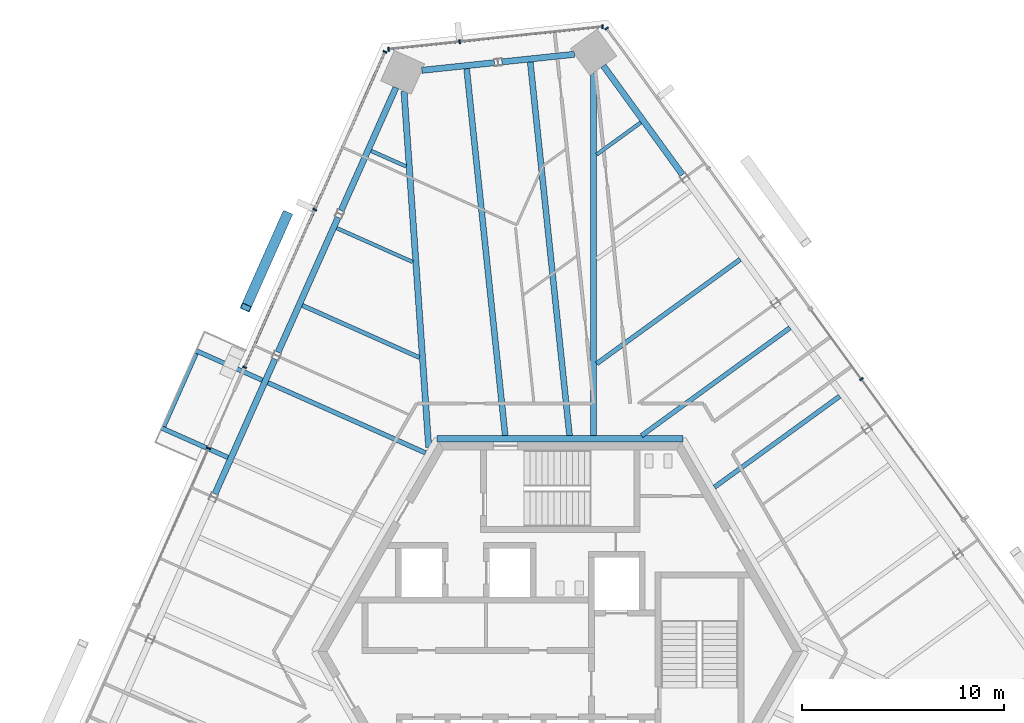
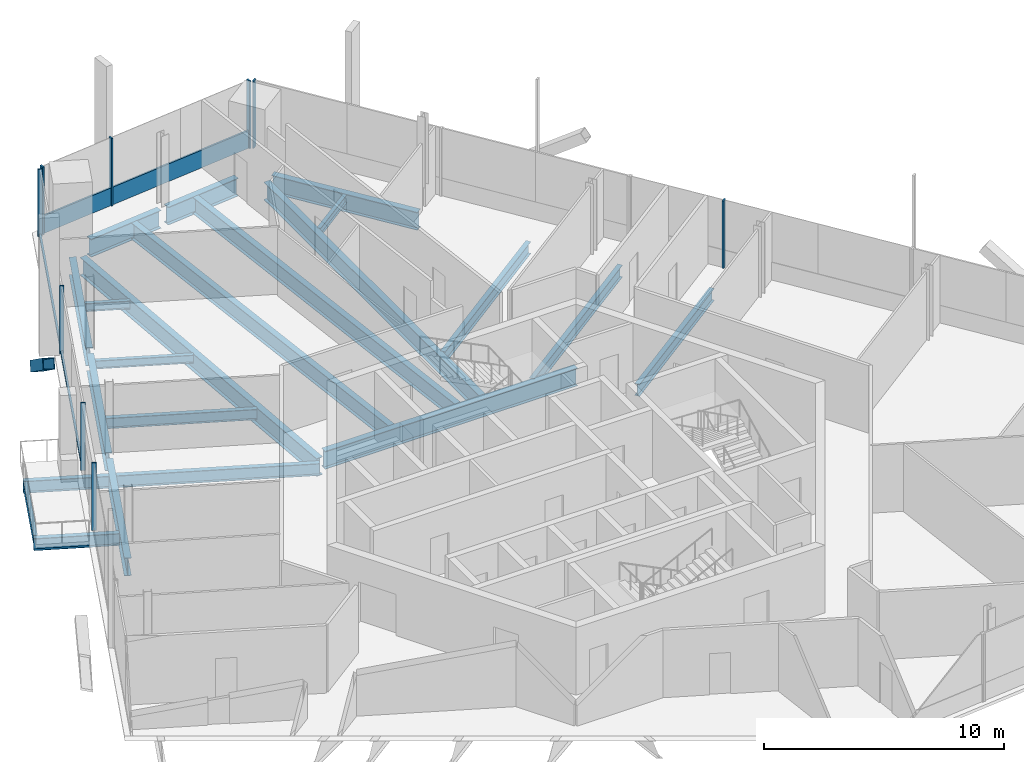
# One storey, part 7 of 20: 22 beams, 14 members, 5 elements without a shape of their own.
"""IFC4 building model written with IfcOpenShell, lengths in metres."""

from ifc_helpers import new_model, si_unit, direction, frame, origin, origin_2d, place, context, subcontext, project, spatial, rectangle, hollow_rectangle, i_section, extrude, source, transform, mapped, material, material_profile, profile_set, type_object, element, aggregate, save


model = new_model("IFC4")

# Units and contexts
model_context = context("Model", 3, precision=1e-05, world=origin(), true_north=direction((0.0, 1.0)))
body_context = subcontext(model_context, "Body", "Model", "MODEL_VIEW")
ifc_project = project(units=[si_unit("LENGTHUNIT", "METRE"), si_unit("AREAUNIT", "SQUARE_METRE"), si_unit("VOLUMEUNIT", "CUBIC_METRE"), si_unit("PLANEANGLEUNIT", "RADIAN"), si_unit("MASSUNIT", "GRAM", prefix="KILO")], contexts=[model_context])

# Site, building, storey
site_placement = place(None, origin())
site = spatial("IfcSite", under=ifc_project, at=site_placement, CompositionType="ELEMENT")
building_placement = place(site_placement, origin())
building = spatial("IfcBuilding", under=site, at=building_placement, Name="Triune Harvest Tower", CompositionType="ELEMENT")
storey_placement = place(building_placement, frame((0.0, 0.0, 226.89990234375)))
storey = spatial("IfcBuildingStorey", under=building, at=storey_placement, Name="L59", CompositionType="ELEMENT", Elevation=226.89990234375)

# Beams
ifc_material_1 = material(Name="Steel ASTM A992 Gr 50", Category="steel")
ifc_material_profile_1 = material_profile(ifc_material_1, i_section(OverallWidth=0.3046875, OverallDepth=0.914306640625, WebThickness=0.0166015625, FlangeThickness=0.02587890625, at=origin_2d()), Name="W36x160")
ifc_profile_set_1 = profile_set([ifc_material_profile_1], Name="Steel ASTM A992 Gr 50")
beam_type_1 = type_object("IfcBeamType", Name="CG-1 Core ring girder W36x160", PredefinedType="BEAM", material=ifc_profile_set_1)
shared_shape_1 = source(origin(), body_context, "Body", "SweptSolid", [
    extrude(i_section(OverallWidth=0.3046875, OverallDepth=0.914306640625, WebThickness=0.0166015625, FlangeThickness=0.02587890625, at=origin_2d()), origin(), (0.0, 0.0, 1.0), 12.17578125),
])
beam_1_placement = place(storey_placement, frame((6.087890625, 10.544677734375, -0.6171875), z_axis=(-1.0, 0.0, 0.0), x_axis=(0.0, -1.0, 0.0)))
element("IfcBeam", 1, at=beam_1_placement, inside=storey, type_object=beam_type_1, Name="beam/L59/CG2", PredefinedType="BEAM", context=body_context, shape_type="MappedRepresentation", body=[
    mapped(shared_shape_1, transform((0.0, 0.0, 0.0), scale=1.0)),
])
ifc_material_2 = material(Name="Steel ASTM A992 Gr 50", Category="steel")
ifc_material_profile_2 = material_profile(ifc_material_2, i_section(OverallWidth=0.3046875, OverallDepth=0.914306640625, WebThickness=0.0166015625, FlangeThickness=0.02587890625, at=origin_2d()), Name="W36x160")
ifc_profile_set_2 = profile_set([ifc_material_profile_2], Name="Steel ASTM A992 Gr 50")
beam_type_2 = type_object("IfcBeamType", Name="SB-1 Spandrel beam W36x160", PredefinedType="SPANDREL", material=ifc_profile_set_2)
shared_shape_2 = source(origin(), body_context, "Body", "SweptSolid", [
    extrude(i_section(OverallWidth=0.3046875, OverallDepth=0.914306640625, WebThickness=0.0166015625, FlangeThickness=0.02587890625, at=origin_2d()), origin(), (0.0, 0.0, 1.0), 6.67041015625),
])
beam_2_placement = place(storey_placement, frame((6.06396484375, 23.617919921875, -0.6171875), z_axis=(-0.587797324645, 0.80900822316, 0.0), x_axis=(-0.80900822316, -0.587797324645, 0.0)))
element("IfcBeam", 2, at=beam_2_placement, inside=storey, type_object=beam_type_2, Name="beam/L59/SB6", PredefinedType="SPANDREL", context=body_context, shape_type="MappedRepresentation", body=[
    mapped(shared_shape_2, transform((0.0, 0.0, 0.0), scale=1.0)),
])
shared_shape_3 = source(origin(), body_context, "Body", "SweptSolid", [
    extrude(i_section(OverallWidth=0.3046875, OverallDepth=0.914306640625, WebThickness=0.0166015625, FlangeThickness=0.02587890625, at=origin_2d()), origin(), (0.0, 0.0, 1.0), 7.31103515625),
])
beam_3_placement = place(storey_placement, frame((-14.114990234375, 14.489013671875, -0.6171875), z_axis=(-0.406761135511, -0.913534552514, 0.0), x_axis=(0.913534552514, -0.406761135511, 0.0)))
element("IfcBeam", 3, at=beam_3_placement, inside=storey, type_object=beam_type_2, Name="beam/L59/SB11", PredefinedType="SPANDREL", context=body_context, shape_type="MappedRepresentation", body=[
    mapped(shared_shape_3, transform((0.0, 0.0, 0.0), scale=1.0)),
])
shared_shape_4 = source(origin(), body_context, "Body", "SweptSolid", [
    extrude(i_section(OverallWidth=0.3046875, OverallDepth=0.914306640625, WebThickness=0.0166015625, FlangeThickness=0.02587890625, at=origin_2d()), origin(), (0.0, 0.0, 1.0), 3.614990234375),
])
for number, where, z_axis, x_axis, name in (
    (4, (0.710693359375, 29.58203125, -0.6171875), (-0.994520245169, -0.104544162673, 0.0), (0.104544162673, -0.994520245169, 0.0), "beam/L59/SB7"),
    (5, (-3.25048828125, 29.165771484375, -0.6171875), (-0.994520245169, -0.104544162673, 0.0), (0.104544162673, -0.994520245169, 0.0), "beam/L59/SB8"),
):
    element("IfcBeam", number, at=place(storey_placement, frame(where, z_axis=z_axis, x_axis=x_axis)), inside=storey, type_object=beam_type_2, Name=name, PredefinedType="SPANDREL", context=body_context, shape_type="MappedRepresentation", body=[
        mapped(shared_shape_4, transform((0.0, 0.0, 0.0), scale=1.0)),
    ])
shared_shape_5 = source(origin(), body_context, "Body", "SweptSolid", [
    extrude(i_section(OverallWidth=0.3046875, OverallDepth=0.914306640625, WebThickness=0.0166015625, FlangeThickness=0.02587890625, at=origin_2d()), origin(), (0.0, 0.0, 1.0), 6.670166015625),
])
beam_4_placement = place(storey_placement, frame((-8.128662109375, 27.9345703125, -0.6171875), z_axis=(-0.406753053854, -0.913538150917, 0.0), x_axis=(0.913538150917, -0.406753053854, 0.0)))
element("IfcBeam", 6, at=beam_4_placement, inside=storey, type_object=beam_type_2, Name="beam/L59/SB9", PredefinedType="SPANDREL", context=body_context, shape_type="MappedRepresentation", body=[
    mapped(shared_shape_5, transform((0.0, 0.0, 0.0), scale=1.0)),
])
shared_shape_6 = source(origin(), body_context, "Body", "SweptSolid", [
    extrude(i_section(OverallWidth=0.3046875, OverallDepth=0.914306640625, WebThickness=0.0166015625, FlangeThickness=0.02587890625, at=origin_2d()), origin(), (0.0, 0.0, 1.0), 7.311279296875),
])
beam_5_placement = place(storey_placement, frame((-10.991455078125, 21.504638671875, -0.6171875), z_axis=(-0.406720859208, -0.91355248491, 0.0), x_axis=(0.91355248491, -0.406720859208, 0.0)))
element("IfcBeam", 7, at=beam_5_placement, inside=storey, type_object=beam_type_2, Name="beam/L59/SB10", PredefinedType="SPANDREL", context=body_context, shape_type="MappedRepresentation", body=[
    mapped(shared_shape_6, transform((0.0, 0.0, 0.0), scale=1.0)),
])
ifc_material_3 = material(Name="Steel ASTM A992 Gr 50", Category="steel")
ifc_material_profile_3 = material_profile(ifc_material_3, i_section(OverallWidth=0.3046875, OverallDepth=0.914306640625, WebThickness=0.0166015625, FlangeThickness=0.02587890625, at=origin_2d()), Name="W36x160")
ifc_profile_set_3 = profile_set([ifc_material_profile_3], Name="Steel ASTM A992 Gr 50")
beam_type_3 = type_object("IfcBeamType", Name="HG-3 Hip girder W36x160", PredefinedType="BEAM", material=ifc_profile_set_3)
shared_shape_7 = source(origin(), body_context, "Body", "SweptSolid", [
    extrude(i_section(OverallWidth=0.3046875, OverallDepth=0.914306640625, WebThickness=0.0166015625, FlangeThickness=0.02587890625, at=origin_2d()), origin(), (0.0, 0.0, 1.0), 17.96484375),
])
beam_6_placement = place(storey_placement, frame((1.658203125, 28.661865234375, -0.6171875), z_axis=(0.0, -1.0, 0.0), x_axis=(1.0, 0.0, 0.0)))
element("IfcBeam", 8, at=beam_6_placement, inside=storey, type_object=beam_type_3, Name="beam/L59/HG3", PredefinedType="BEAM", context=body_context, shape_type="MappedRepresentation", body=[
    mapped(shared_shape_7, transform((0.0, 0.0, 0.0), scale=1.0)),
])
shared_shape_8 = source(origin(), body_context, "Body", "SweptSolid", [
    extrude(i_section(OverallWidth=0.3046875, OverallDepth=0.914306640625, WebThickness=0.0166015625, FlangeThickness=0.02587890625, at=origin_2d()), origin(), (0.0, 0.0, 1.0), 17.6748046875),
])
beam_7_placement = place(storey_placement, frame((-7.728515625, 27.756591796875, -0.6171875), z_axis=(0.069119702871, -0.997608373399, 0.0), x_axis=(0.997608373399, 0.069119702871, 0.0)))
element("IfcBeam", 9, at=beam_7_placement, inside=storey, type_object=beam_type_3, Name="beam/L59/HG4", PredefinedType="BEAM", context=body_context, shape_type="MappedRepresentation", body=[
    mapped(shared_shape_8, transform((0.0, 0.0, 0.0), scale=1.0)),
])
ifc_material_4 = material(Name="Steel ASTM A992 Gr 50", Category="steel")
ifc_material_profile_4 = material_profile(ifc_material_4, i_section(OverallWidth=0.2099609375, OverallDepth=0.535888671875, WebThickness=0.010986328125, FlangeThickness=0.017333984375, at=origin_2d()), Name="W21x68")
ifc_profile_set_4 = profile_set([ifc_material_profile_4], Name="Steel ASTM A992 Gr 50")
beam_type_4 = type_object("IfcBeamType", Name="JT-2 Floor joist W21x68", PredefinedType="JOIST", material=ifc_profile_set_4)
shared_shape_9 = source(origin(), body_context, "Body", "SweptSolid", [
    extrude(i_section(OverallWidth=0.2099609375, OverallDepth=0.535888671875, WebThickness=0.010986328125, FlangeThickness=0.017333984375, at=origin_2d()), origin(), (0.0, 0.0, 1.0), 6.346435546875),
])
beam_8_placement = place(storey_placement, frame((-12.76513671875, 17.146484375, -0.427978515625), z_axis=(0.913549614508, -0.406727306476, 0.0), x_axis=(0.406727306476, 0.913549614508, 0.0)))
element("IfcBeam", 10, at=beam_8_placement, inside=storey, type_object=beam_type_4, Name="beam/L59/JT15", PredefinedType="JOIST", context=body_context, shape_type="MappedRepresentation", body=[
    mapped(shared_shape_9, transform((0.0, 0.0, 0.0), scale=1.0)),
])
ifc_material_5 = material(Name="Steel ASTM A992 Gr 50", Category="steel")
ifc_material_profile_5 = material_profile(ifc_material_5, i_section(OverallWidth=0.22900390625, OverallDepth=0.612060546875, WebThickness=0.011962890625, FlangeThickness=0.01953125, at=origin_2d()), Name="W24x84")
ifc_profile_set_5 = profile_set([ifc_material_profile_5], Name="Steel ASTM A992 Gr 50")
beam_type_5 = type_object("IfcBeamType", Name="JT-3 Floor joist W24x84", PredefinedType="JOIST", material=ifc_profile_set_5)
shared_shape_10 = source(origin(), body_context, "Body", "SweptSolid", [
    extrude(i_section(OverallWidth=0.22900390625, OverallDepth=0.612060546875, WebThickness=0.011962890625, FlangeThickness=0.01953125, at=origin_2d()), origin(), (0.0, 0.0, 1.0), 7.659423828125),
])
beam_9_placement = place(storey_placement, frame((13.845458984375, 12.648193359375, -0.466064453125), z_axis=(-0.809007534686, -0.587798272217, 0.0), x_axis=(0.587798272217, -0.809007534686, 0.0)))
element("IfcBeam", 11, at=beam_9_placement, inside=storey, type_object=beam_type_5, Name="beam/L59/JT6", PredefinedType="JOIST", context=body_context, shape_type="MappedRepresentation", body=[
    mapped(shared_shape_10, transform((0.0, 0.0, 0.0), scale=1.0)),
])
shared_shape_11 = source(origin(), body_context, "Body", "SweptSolid", [
    extrude(i_section(OverallWidth=0.22900390625, OverallDepth=0.612060546875, WebThickness=0.011962890625, FlangeThickness=0.01953125, at=origin_2d()), origin(), (0.0, 0.0, 1.0), 9.084716796875),
])
beam_10_placement = place(storey_placement, frame((11.38330078125, 16.036865234375, -0.466064453125), z_axis=(-0.809014901919, -0.5877881323, 0.0), x_axis=(0.5877881323, -0.809014901919, 0.0)))
element("IfcBeam", 12, at=beam_10_placement, inside=storey, type_object=beam_type_5, Name="beam/L59/JT7", PredefinedType="JOIST", context=body_context, shape_type="MappedRepresentation", body=[
    mapped(shared_shape_11, transform((0.0, 0.0, 0.0), scale=1.0)),
])
shared_shape_12 = source(origin(), body_context, "Body", "SweptSolid", [
    extrude(i_section(OverallWidth=0.22900390625, OverallDepth=0.612060546875, WebThickness=0.011962890625, FlangeThickness=0.01953125, at=origin_2d()), origin(), (0.0, 0.0, 1.0), 8.789306640625),
])
beam_11_placement = place(storey_placement, frame((8.921142578125, 19.42578125, -0.466064453125), z_axis=(-0.809011065255, -0.587793412939, 0.0), x_axis=(0.587793412939, -0.809011065255, 0.0)))
element("IfcBeam", 13, at=beam_11_placement, inside=storey, type_object=beam_type_5, Name="beam/L59/JT8", PredefinedType="JOIST", context=body_context, shape_type="MappedRepresentation", body=[
    mapped(shared_shape_12, transform((0.0, 0.0, 0.0), scale=1.0)),
])
ifc_material_6 = material(Name="Steel ASTM A992 Gr 50", Category="steel")
ifc_material_profile_6 = material_profile(ifc_material_6, i_section(OverallWidth=0.180908203125, OverallDepth=0.41650390625, WebThickness=0.010986328125, FlangeThickness=0.01806640625, at=origin_2d()), Name="W16x57")
ifc_profile_set_6 = profile_set([ifc_material_profile_6], Name="Steel ASTM A992 Gr 50")
beam_type_6 = type_object("IfcBeamType", Name="JT-1 Floor joist W16x57", PredefinedType="JOIST", material=ifc_profile_set_6)
shared_shape_13 = source(origin(), body_context, "Body", "SweptSolid", [
    extrude(i_section(OverallWidth=0.180908203125, OverallDepth=0.41650390625, WebThickness=0.010986328125, FlangeThickness=0.01806640625, at=origin_2d()), origin(), (0.0, 0.0, 1.0), 2.70263671875),
])
beam_12_placement = place(storey_placement, frame((3.9970703125, 26.203369140625, -0.3681640625), z_axis=(-0.809013338029, -0.587790284788, 0.0), x_axis=(0.587790284788, -0.809013338029, 0.0)))
element("IfcBeam", 14, at=beam_12_placement, inside=storey, type_object=beam_type_6, Name="beam/L59/JT10", PredefinedType="JOIST", context=body_context, shape_type="MappedRepresentation", body=[
    mapped(shared_shape_13, transform((0.0, 0.0, 0.0), scale=1.0)),
])
ifc_material_7 = material(Name="Steel ASTM A992 Gr 50", Category="steel")
ifc_material_profile_7 = material_profile(ifc_material_7, i_section(OverallWidth=0.2919921875, OverallDepth=0.8408203125, WebThickness=0.0146484375, FlangeThickness=0.021728515625, at=origin_2d()), Name="W33x130")
ifc_profile_set_7 = profile_set([ifc_material_profile_7], Name="Steel ASTM A992 Gr 50")
beam_type_7 = type_object("IfcBeamType", Name="JT-6 Floor joist W33x130", PredefinedType="JOIST", material=ifc_profile_set_7)
shared_shape_14 = source(origin(), body_context, "Body", "SweptSolid", [
    extrude(i_section(OverallWidth=0.2919921875, OverallDepth=0.8408203125, WebThickness=0.0146484375, FlangeThickness=0.021728515625, at=origin_2d()), origin(), (0.0, 0.0, 1.0), 18.60400390625),
])
beam_13_placement = place(storey_placement, frame((-1.476318359375, 29.198974609375, -0.580322265625), z_axis=(0.104538595675, -0.994520830357, 0.0), x_axis=(0.994520830357, 0.104538595675, 0.0)))
element("IfcBeam", 15, at=beam_13_placement, inside=storey, type_object=beam_type_7, Name="beam/L59/JT11", PredefinedType="JOIST", context=body_context, shape_type="MappedRepresentation", body=[
    mapped(shared_shape_14, transform((0.0, 0.0, 0.0), scale=1.0)),
])
shared_shape_15 = source(origin(), body_context, "Body", "SweptSolid", [
    extrude(i_section(OverallWidth=0.2919921875, OverallDepth=0.8408203125, WebThickness=0.0146484375, FlangeThickness=0.021728515625, at=origin_2d()), origin(), (0.0, 0.0, 1.0), 18.27099609375),
])
beam_14_placement = place(storey_placement, frame((-4.626708984375, 28.867919921875, -0.580322265625), z_axis=(0.104532454263, -0.99452147589, 0.0), x_axis=(0.99452147589, 0.104532454263, 0.0)))
element("IfcBeam", 16, at=beam_14_placement, inside=storey, type_object=beam_type_7, Name="beam/L59/JT12", PredefinedType="JOIST", context=body_context, shape_type="MappedRepresentation", body=[
    mapped(shared_shape_15, transform((0.0, 0.0, 0.0), scale=1.0)),
])
shared_shape_16 = source(origin(), body_context, "Body", "SweptSolid", [
    extrude(i_section(OverallWidth=0.180908203125, OverallDepth=0.41650390625, WebThickness=0.010986328125, FlangeThickness=0.01806640625, at=origin_2d()), origin(), (0.0, 0.0, 1.0), 1.899169921875),
])
beam_15_placement = place(storey_placement, frame((-9.357666015625, 24.7998046875, -0.3681640625), z_axis=(0.913535666592, -0.406758633422, 0.0), x_axis=(0.406758633422, 0.913535666592, 0.0)))
element("IfcBeam", 17, at=beam_15_placement, inside=storey, type_object=beam_type_6, Name="beam/L59/JT13", PredefinedType="JOIST", context=body_context, shape_type="MappedRepresentation", body=[
    mapped(shared_shape_16, transform((0.0, 0.0, 0.0), scale=1.0)),
])
shared_shape_17 = source(origin(), body_context, "Body", "SweptSolid", [
    extrude(i_section(OverallWidth=0.180908203125, OverallDepth=0.41650390625, WebThickness=0.010986328125, FlangeThickness=0.01806640625, at=origin_2d()), origin(), (0.0, 0.0, 1.0), 4.12255859375),
])
beam_16_placement = place(storey_placement, frame((-11.061279296875, 20.972900390625, -0.3681640625), z_axis=(0.913547607509, -0.406731814363, 0.0), x_axis=(0.406731814363, 0.913547607509, 0.0)))
element("IfcBeam", 18, at=beam_16_placement, inside=storey, type_object=beam_type_6, Name="beam/L59/JT14", PredefinedType="JOIST", context=body_context, shape_type="MappedRepresentation", body=[
    mapped(shared_shape_17, transform((0.0, 0.0, 0.0), scale=1.0)),
])
shared_shape_18 = source(origin(), body_context, "Body", "SweptSolid", [
    extrude(i_section(OverallWidth=0.22900390625, OverallDepth=0.612060546875, WebThickness=0.011962890625, FlangeThickness=0.01953125, at=origin_2d()), origin(), (0.0, 0.0, 1.0), 8.539794921875),
])
beam_17_placement = place(storey_placement, frame((-14.46875, 13.319580078125, -0.466064453125), z_axis=(0.913548460016, -0.406729899567, 0.0), x_axis=(0.406729899567, 0.913548460016, 0.0)))
element("IfcBeam", 19, at=beam_17_placement, inside=storey, type_object=beam_type_5, Name="beam/L59/JT16", PredefinedType="JOIST", context=body_context, shape_type="MappedRepresentation", body=[
    mapped(shared_shape_18, transform((0.0, 0.0, 0.0), scale=1.0)),
])

# Member
ifc_material_8 = material(Name="Steel ASTM A572 Gr 50", Category="steel")
ifc_material_profile_8 = material_profile(ifc_material_8, hollow_rectangle(XDim=0.5, YDim=0.5, WallThickness=0.030029296875, at=origin_2d()), Name="Box 500x500x30")
ifc_profile_set_8 = profile_set([ifc_material_profile_8], Name="Steel ASTM A572 Gr 50")
member_type_1 = type_object("IfcMemberType", Name="BR-3 Brace Box 500x500x30", PredefinedType="BRACE", material=ifc_profile_set_8)
shared_shape_19 = source(origin(), body_context, "Body", "SweptSolid", [
    extrude(hollow_rectangle(XDim=0.5, YDim=0.5, WallThickness=0.030029296875, at=origin_2d()), origin(), (0.0, 0.0, 1.0), 6.1708984375),
])
member_1_placement = place(storey_placement, frame((-13.527099609375, 21.625, 0.0), z_axis=(-0.330352036276, -0.741966717165, 0.583397739752), x_axis=(0.913542177249, -0.406744010879, 0.0)))
element("IfcMember", 20, at=member_1_placement, inside=storey, type_object=member_type_1, Name="brace/B6-F3/d1/3", PredefinedType="BRACE", context=body_context, shape_type="MappedRepresentation", body=[
    mapped(shared_shape_19, transform((0.0, 0.0, 0.0), scale=1.0)),
])

# Beam
ifc_material_9 = material(Name="Steel ASTM A992 Gr 50", Category="steel")
ifc_material_profile_9 = material_profile(ifc_material_9, i_section(OverallWidth=0.22900390625, OverallDepth=0.612060546875, WebThickness=0.011962890625, FlangeThickness=0.01953125, at=origin_2d()), Name="W24x84")
ifc_profile_set_9 = profile_set([ifc_material_profile_9], Name="Steel ASTM A992 Gr 50")
beam_type_8 = type_object("IfcBeamType", Name="BJ-3 Balcony cantilever joist W24x84", PredefinedType="JOIST", material=ifc_profile_set_9)
shared_shape_20 = source(origin(), body_context, "Body", "SweptSolid", [
    extrude(i_section(OverallWidth=0.22900390625, OverallDepth=0.612060546875, WebThickness=0.011962890625, FlangeThickness=0.01953125, at=origin_2d()), origin(), (0.0, 0.0, 1.0), 3.59765625),
])
beam_18_placement = place(storey_placement, frame((-14.747314453125, 13.443603515625, -0.466064453125), z_axis=(-0.91353710021, 0.406755413658, 0.0), x_axis=(-0.406755413658, -0.91353710021, 0.0)))
element("IfcBeam", 21, at=beam_18_placement, inside=storey, type_object=beam_type_8, Name="Balcony cantilever joist B6-F3 L59.5a", PredefinedType="JOIST", context=body_context, shape_type="MappedRepresentation", body=[
    mapped(shared_shape_20, transform((0.0, 0.0, 0.0), scale=1.0)),
])

# Curtain wall, member
ifc_material_10 = material(Name="Aluminium bronze anodised", Category="aluminium")
curtain_wall_type_1 = type_object("IfcCurtainWallType", Name="CW-1 Tower stick curtain wall", PredefinedType="NOTDEFINED", material=ifc_material_10)
curtain_wall_1_placement = place(storey_placement, origin())
curtain_wall_1 = element("IfcCurtainWall", 22, at=curtain_wall_1_placement, inside=storey, type_object=curtain_wall_type_1, Name="CW-1 B6-F1 L59 run 1001")
ifc_material_11 = material(Name="Aluminium bronze anodised", Category="aluminium")
ifc_material_profile_10 = material_profile(ifc_material_11, rectangle(XDim=0.199951171875, YDim=0.074951171875, at=origin_2d()), Name="MU-1 mullion 75 x 200")
ifc_profile_set_10 = profile_set([ifc_material_profile_10], Name="Aluminium bronze anodised")
member_type_2 = type_object("IfcMemberType", Name="MU-1 mullion 75 x 200", PredefinedType="MULLION", material=ifc_profile_set_10)
shared_shape_21 = source(origin(), body_context, "Body", "SweptSolid", [
    extrude(rectangle(XDim=0.199951171875, YDim=0.074951171875, at=origin_2d()), origin(), (0.0, 0.0, 1.0), 3.440185546875),
])
member_2_placement = place(storey_placement, frame((14.91943359375, 13.4970703125, 0.0), z_axis=(0.0, 0.0, 1.0), x_axis=(-0.809017576253, -0.587784451405, 0.0)))
member_2 = element("IfcMember", 23, at=member_2_placement, type_object=member_type_2, Name="CW-1 mullion B6-F1 1001.3", PredefinedType="MULLION", context=body_context, shape_type="MappedRepresentation", body=[
    mapped(shared_shape_21, transform((0.0, 0.0, 0.0), scale=1.0)),
])
aggregate(curtain_wall_1, [member_2])

ifc_material_12 = material(Name="Aluminium bronze anodised", Category="aluminium")
curtain_wall_type_2 = type_object("IfcCurtainWallType", Name="CW-7 Tower stick curtain wall with insulated spandrel infill", PredefinedType="NOTDEFINED", material=ifc_material_12)
curtain_wall_2_placement = place(storey_placement, origin())
curtain_wall_2 = element("IfcCurtainWall", 24, at=curtain_wall_2_placement, inside=storey, type_object=curtain_wall_type_2, Name="CW-7 B6-F1 L59 run 2001")
member_3_placement = place(storey_placement, frame((2.303955078125, 30.86083984375, 0.0), z_axis=(0.0, 0.0, 1.0), x_axis=(-0.809016356822, -0.587786129808, 0.0)))
member_3 = element("IfcMember", 25, at=member_3_placement, type_object=member_type_2, Name="CW-7 mullion B6-F1 2001.5", PredefinedType="MULLION", context=body_context, shape_type="MappedRepresentation", body=[
    mapped(shared_shape_21, transform((0.0, 0.0, 0.0), scale=1.0)),
])
aggregate(curtain_wall_2, [member_3])

# Curtain wall, members
curtain_wall_3_placement = place(storey_placement, origin())
curtain_wall_3 = element("IfcCurtainWall", 26, at=curtain_wall_3_placement, inside=storey, type_object=curtain_wall_type_1, Name="CW-1 B6-F2 L59 run 1")
member_4_placement = place(storey_placement, frame((2.102294921875, 30.95068359375, 0.0), z_axis=(0.0, 0.0, 1.0), x_axis=(0.104529672907, -0.994521768229, 0.0)))
member_4 = element("IfcMember", 27, at=member_4_placement, type_object=member_type_2, Name="CW-1 mullion B6-F2 1.1", PredefinedType="MULLION", context=body_context, shape_type="MappedRepresentation", body=[
    mapped(shared_shape_21, transform((0.0, 0.0, 0.0), scale=1.0)),
])
member_5_placement = place(storey_placement, frame((-4.972412109375, 30.20703125, 0.0), z_axis=(0.0, 0.0, 1.0), x_axis=(0.104529672907, -0.994521768229, 0.0)))
member_5 = element("IfcMember", 28, at=member_5_placement, type_object=member_type_2, Name="CW-1 mullion B6-F2 1.3", PredefinedType="MULLION", context=body_context, shape_type="MappedRepresentation", body=[
    mapped(shared_shape_21, transform((0.0, 0.0, 0.0), scale=1.0)),
])
member_6_placement = place(storey_placement, frame((-8.4912109375, 29.837158203125, 0.0), z_axis=(0.0, 0.0, 1.0), x_axis=(0.104529672907, -0.994521768229, 0.0)))
member_6 = element("IfcMember", 29, at=member_6_placement, type_object=member_type_2, Name="CW-1 mullion B6-F2 1.4", PredefinedType="MULLION", context=body_context, shape_type="MappedRepresentation", body=[
    mapped(shared_shape_21, transform((0.0, 0.0, 0.0), scale=1.0)),
])

ifc_material_13 = material(Name="Aluminium bronze anodised", Category="aluminium")
curtain_wall_type_3 = type_object("IfcCurtainWallType", Name="CW-10 Balcony window wall with insulated spandrel infill", PredefinedType="NOTDEFINED", material=ifc_material_13)
curtain_wall_4_placement = place(storey_placement, origin())
curtain_wall_4 = element("IfcCurtainWall", 30, at=curtain_wall_4_placement, inside=storey, type_object=curtain_wall_type_3, Name="CW-10 B6-F3 L59 run 1")
ifc_material_14 = material(Name="Aluminium bronze anodised", Category="aluminium")
ifc_material_profile_11 = material_profile(ifc_material_14, rectangle(XDim=0.199951171875, YDim=0.074951171875, at=origin_2d()), Name="MU-6 mullion 75 x 200")
ifc_profile_set_11 = profile_set([ifc_material_profile_11], Name="Aluminium bronze anodised")
member_type_3 = type_object("IfcMemberType", Name="MU-6 mullion 75 x 200", PredefinedType="MULLION", material=ifc_profile_set_11)
shared_shape_22 = source(origin(), body_context, "Body", "SweptSolid", [
    extrude(rectangle(XDim=0.199951171875, YDim=0.074951171875, at=origin_2d()), origin(), (0.0, 0.0, 1.0), 3.440185546875),
])
member_7_placement = place(storey_placement, frame((-8.669921875, 29.707275390625, 0.0), z_axis=(0.0, 0.0, 1.0), x_axis=(0.91354489257, -0.406737912248, 0.0)))
member_7 = element("IfcMember", 31, at=member_7_placement, type_object=member_type_3, Name="CW-10 mullion B6-F3 1.1", PredefinedType="MULLION", context=body_context, shape_type="MappedRepresentation", body=[
    mapped(shared_shape_22, transform((0.0, 0.0, 0.0), scale=1.0)),
])
member_8_placement = place(storey_placement, frame((-12.147705078125, 21.896240234375, 0.0), z_axis=(0.0, 0.0, 1.0), x_axis=(0.91354489257, -0.406737912248, 0.0)))
member_8 = element("IfcMember", 32, at=member_8_placement, type_object=member_type_3, Name="CW-10 mullion B6-F3 1.3", PredefinedType="MULLION", context=body_context, shape_type="MappedRepresentation", body=[
    mapped(shared_shape_22, transform((0.0, 0.0, 0.0), scale=1.0)),
])
member_9_placement = place(storey_placement, frame((-15.62548828125, 14.085205078125, 0.0), z_axis=(0.0, 0.0, 1.0), x_axis=(0.91354489257, -0.406737912248, 0.0)))
member_9 = element("IfcMember", 33, at=member_9_placement, type_object=member_type_3, Name="CW-10 mullion B6-F3 1.5", PredefinedType="MULLION", context=body_context, shape_type="MappedRepresentation", body=[
    mapped(shared_shape_22, transform((0.0, 0.0, 0.0), scale=1.0)),
])

# Curtain wall, member
ifc_material_15 = material(Name="Aluminium bronze anodised", Category="aluminium")
curtain_wall_type_4 = type_object("IfcCurtainWallType", Name="CW-6 Balcony window wall", PredefinedType="NOTDEFINED", material=ifc_material_15)
curtain_wall_5_placement = place(storey_placement, origin())
curtain_wall_5 = element("IfcCurtainWall", 34, at=curtain_wall_5_placement, inside=storey, type_object=curtain_wall_type_4, Name="CW-6 B6-F3 L59 run 2")
member_10_placement = place(storey_placement, frame((-17.41162109375, 10.073486328125, 0.0), z_axis=(0.0, 0.0, 1.0), x_axis=(0.913543658313, -0.406740684413, 0.0)))
member_10 = element("IfcMember", 35, at=member_10_placement, type_object=member_type_3, Name="CW-6 mullion B6-F3 2.1", PredefinedType="MULLION", context=body_context, shape_type="MappedRepresentation", body=[
    mapped(shared_shape_22, transform((0.0, 0.0, 0.0), scale=1.0)),
])
aggregate(curtain_wall_5, [member_10])

# Beam
shared_shape_23 = source(origin(), body_context, "Body", "SweptSolid", [
    extrude(i_section(OverallWidth=0.22900390625, OverallDepth=0.612060546875, WebThickness=0.011962890625, FlangeThickness=0.01953125, at=origin_2d()), origin(), (0.0, 0.0, 1.0), 3.597900390625),
])
beam_19_placement = place(storey_placement, frame((-16.450927734375, 9.6171875, -0.466064453125), z_axis=(-0.913573538792, 0.40667356592, 0.0), x_axis=(-0.40667356592, -0.913573538792, 0.0)))
element("IfcBeam", 36, at=beam_19_placement, inside=storey, type_object=beam_type_8, Name="Balcony cantilever joist B6-F3 L59.5b", PredefinedType="JOIST", context=body_context, shape_type="MappedRepresentation", body=[
    mapped(shared_shape_23, transform((0.0, 0.0, 0.0), scale=1.0)),
])

# Member
ifc_material_16 = material(Name="Aluminium bronze anodised", Category="aluminium")
ifc_material_profile_12 = material_profile(ifc_material_16, rectangle(XDim=0.090087890625, YDim=0.89990234375, at=origin_2d()), Name="TR-1 transom 90 x 900")
ifc_profile_set_12 = profile_set([ifc_material_profile_12], Name="Aluminium bronze anodised")
member_type_4 = type_object("IfcMemberType", Name="TR-1 transom 90 x 900", PredefinedType="USERDEFINED", material=ifc_profile_set_12)
shared_shape_24 = source(origin(), body_context, "Body", "SweptSolid", [
    extrude(rectangle(XDim=0.090087890625, YDim=0.89990234375, at=origin_2d()), origin(), (0.0, 0.0, 1.0), 7.038818359375),
])
member_11_placement = place(storey_placement, frame((2.06494140625, 30.946533203125, 0.4501953125), z_axis=(-0.994524252306, -0.104506036069, 0.0), x_axis=(0.104506036069, -0.994524252306, 0.0)))
member_11 = element("IfcMember", 37, at=member_11_placement, type_object=member_type_4, Name="CW-1 transom B6-F2 1.1", ObjectType="TRANSOM", PredefinedType="USERDEFINED", context=body_context, shape_type="MappedRepresentation", body=[
    mapped(shared_shape_24, transform((0.0, 0.0, 0.0), scale=1.0)),
])

shared_shape_25 = source(origin(), body_context, "Body", "SweptSolid", [
    extrude(rectangle(XDim=0.090087890625, YDim=0.89990234375, at=origin_2d()), origin(), (0.0, 0.0, 1.0), 3.46337890625),
])
member_12_placement = place(storey_placement, frame((-5.009765625, 30.203125, 0.4501953125), z_axis=(-0.994520506962, -0.10454167223, 0.0), x_axis=(0.10454167223, -0.994520506962, 0.0)))
member_12 = element("IfcMember", 38, at=member_12_placement, type_object=member_type_4, Name="CW-1 transom B6-F2 1.2", ObjectType="TRANSOM", PredefinedType="USERDEFINED", context=body_context, shape_type="MappedRepresentation", body=[
    mapped(shared_shape_25, transform((0.0, 0.0, 0.0), scale=1.0)),
])

aggregate(curtain_wall_3, [member_4, member_5, member_6, member_11, member_12])

ifc_material_17 = material(Name="Aluminium bronze anodised", Category="aluminium")
ifc_material_profile_13 = material_profile(ifc_material_17, rectangle(XDim=0.090087890625, YDim=0.14990234375, at=origin_2d()), Name="TR-6 transom 90 x 150")
ifc_profile_set_13 = profile_set([ifc_material_profile_13], Name="Aluminium bronze anodised")
member_type_5 = type_object("IfcMemberType", Name="TR-6 transom 90 x 150", PredefinedType="USERDEFINED", material=ifc_profile_set_13)
shared_shape_26 = source(origin(), body_context, "Body", "SweptSolid", [
    extrude(rectangle(XDim=0.090087890625, YDim=0.14990234375, at=origin_2d()), origin(), (0.0, 0.0, 1.0), 8.475341796875),
])
member_13_placement = place(storey_placement, frame((-8.685302734375, 29.673095703125, 0.0751953125), z_axis=(-0.406713022474, -0.913555973846, 0.0), x_axis=(0.913555973846, -0.406713022474, 0.0)))
member_13 = element("IfcMember", 39, at=member_13_placement, type_object=member_type_5, Name="CW-10 transom B6-F3 1.1", ObjectType="TRANSOM", PredefinedType="USERDEFINED", context=body_context, shape_type="MappedRepresentation", body=[
    mapped(shared_shape_26, transform((0.0, 0.0, 0.0), scale=1.0)),
])

member_14_placement = place(storey_placement, frame((-12.162841796875, 21.862060546875, 0.0751953125), z_axis=(-0.406737063158, -0.91354527061, 0.0), x_axis=(0.91354527061, -0.406737063158, 0.0)))
member_14 = element("IfcMember", 40, at=member_14_placement, type_object=member_type_5, Name="CW-10 transom B6-F3 1.2", ObjectType="TRANSOM", PredefinedType="USERDEFINED", context=body_context, shape_type="MappedRepresentation", body=[
    mapped(shared_shape_26, transform((0.0, 0.0, 0.0), scale=1.0)),
])

aggregate(curtain_wall_4, [member_7, member_8, member_9, member_13, member_14])

# Beam
ifc_material_18 = material(Name="Steel ASTM A992 Gr 50", Category="steel")
ifc_material_profile_14 = material_profile(ifc_material_18, i_section(OverallWidth=0.180908203125, OverallDepth=0.41650390625, WebThickness=0.010986328125, FlangeThickness=0.01806640625, at=origin_2d()), Name="W16x57")
ifc_profile_set_14 = profile_set([ifc_material_profile_14], Name="Steel ASTM A992 Gr 50")
beam_type_9 = type_object("IfcBeamType", Name="BE-1 balcony edge beam W16x57", PredefinedType="BEAM", material=ifc_profile_set_14)
shared_shape_27 = source(origin(), body_context, "Body", "SweptSolid", [
    extrude(i_section(OverallWidth=0.180908203125, OverallDepth=0.41650390625, WebThickness=0.010986328125, FlangeThickness=0.01806640625, at=origin_2d()), origin(), (0.0, 0.0, 1.0), 3.959716796875),
])
beam_20_placement = place(storey_placement, frame((-19.6083984375, 11.148193359375, -0.3681640625), z_axis=(0.406739039334, 0.913544390756, 0.0), x_axis=(-0.913544390756, 0.406739039334, 0.0)))
element("IfcBeam", 41, at=beam_20_placement, inside=storey, type_object=beam_type_9, Name="Balcony edge beam B6-F3 L59.5", PredefinedType="BEAM", context=body_context, shape_type="MappedRepresentation", body=[
    mapped(shared_shape_27, transform((0.0, 0.0, 0.0), scale=1.0)),
])

save(model, "model.ifc")
